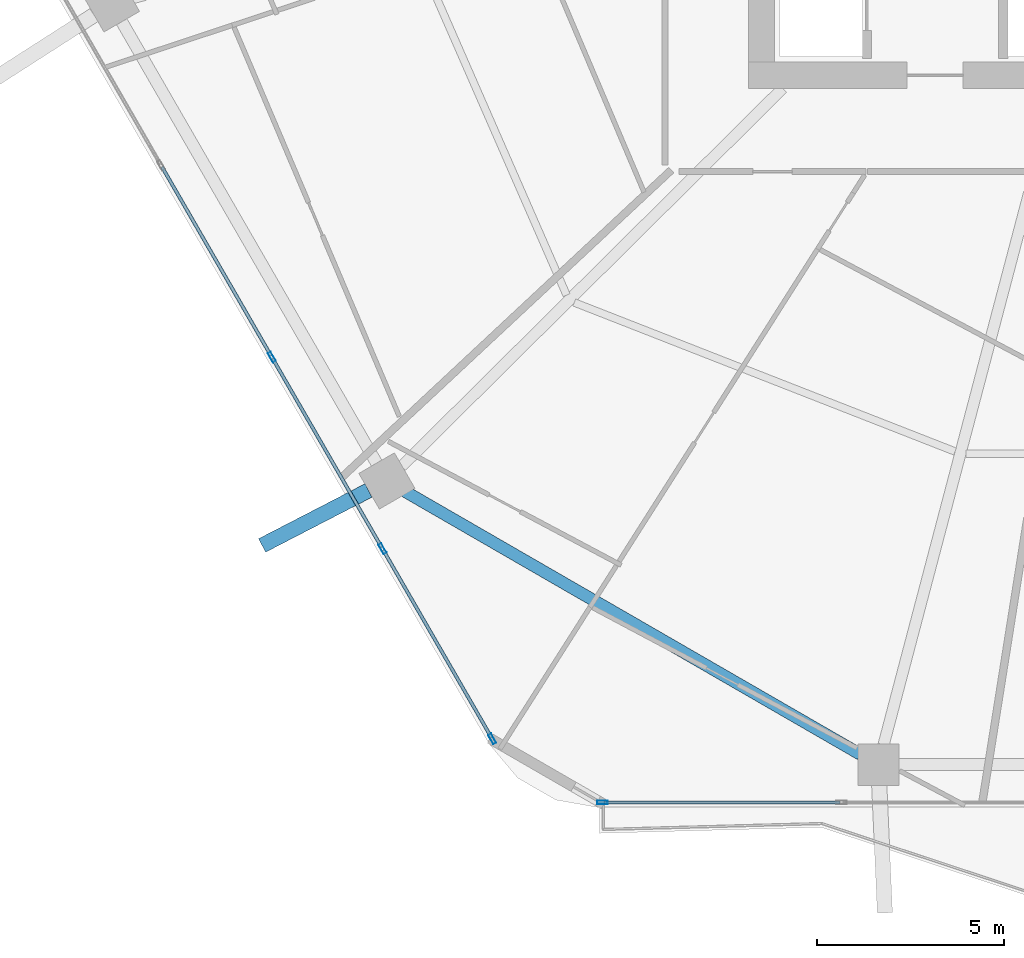
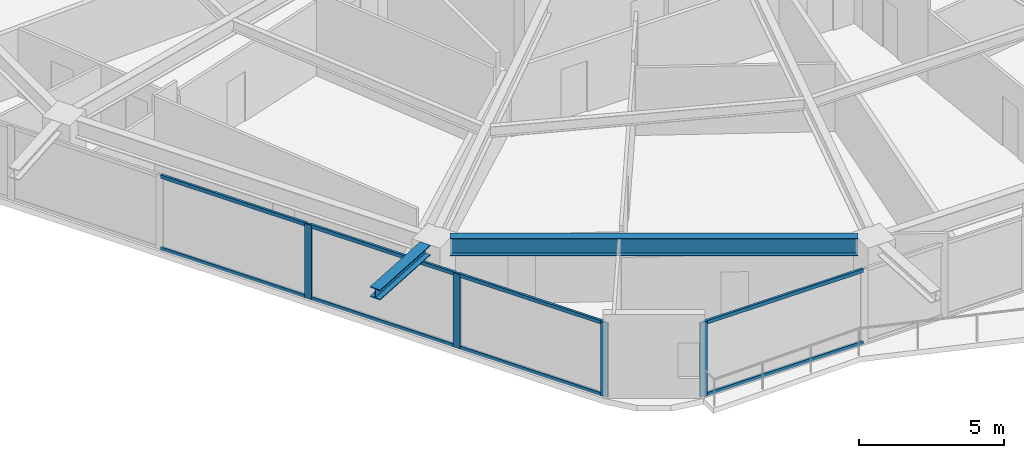
# One storey, part 2 of 33: 12 members, 2 beams, 2 elements without a shape of their own.
"""IFC4 building model written with IfcOpenShell, lengths in metres."""

import ifcopenshell
import ifcopenshell.guid

model = None  # the IFC model being written
_history = None  # IfcOwnerHistory: only IFC2X3 demands one
_inside = {}  # id of a spatial element -> (the spatial element, [elements in it])
_under = {}  # id of a project, library or spatial element -> (it, [spatial elements below it])
_declared = {}  # id of a project -> (the project, [libraries it declares])
_typed = {}  # id of a type object -> (the type object, [elements of that type])
_made_of = {}  # id of a material, layer set ... -> (it, [elements and type objects made of it])


def new_model(schema):
    """Start an empty IFC model of exactly this schema.

    Asked for "IFC4X3", IfcOpenShell would pick the latest addendum, in which some entities
    have other attributes; the version numbers below select the first issue.
    IFC2X3 requires an IfcOwnerHistory on every rooted entity: one is made here for all.
    """
    global model, _history
    if schema == "IFC4X3":
        model = ifcopenshell.file(schema_version=(4, 3, 0, 0))
    else:
        model = ifcopenshell.file(schema=schema)
    _inside.clear()
    _under.clear()
    _declared.clear()
    _typed.clear()
    _made_of.clear()
    _history = None
    if model.schema == "IFC2X3":
        org = make("IfcOrganization", Name="unknown")
        user = make(
            "IfcPersonAndOrganization",
            ThePerson=make("IfcPerson", FamilyName="unknown"),
            TheOrganization=org,
        )
        app = make(
            "IfcApplication",
            ApplicationDeveloper=org,
            Version="unknown",
            ApplicationFullName="unknown",
            ApplicationIdentifier="unknown",
        )
        _history = make(
            "IfcOwnerHistory",
            OwningUser=user,
            OwningApplication=app,
            ChangeAction="ADDED",
            CreationDate=0,
        )
    return model


def make(cls, **values):
    """One entity of the class cls with the attributes given. An attribute that is None is left unset."""
    return model.create_entity(
        cls, **{name: value for name, value in values.items() if value is not None}
    )


def rooted(cls, **values):
    """An entity with a GlobalId (a new one), such as an element, a storey or a relation."""
    return make(cls, GlobalId=ifcopenshell.guid.new(), OwnerHistory=_history, **values)


def si_unit(unit_type, name, prefix=None):
    """IfcSIUnit, for example si_unit("LENGTHUNIT", "METRE", prefix="MILLI")."""
    return make("IfcSIUnit", UnitType=unit_type, Prefix=prefix, Name=name)


def assignment(units):
    """IfcUnitAssignment: the units of a project."""
    return None if units is None else make("IfcUnitAssignment", Units=units)


def point(xyz):
    """IfcCartesianPoint."""
    return None if xyz is None else make("IfcCartesianPoint", Coordinates=xyz)


def direction(xyz):
    """IfcDirection."""
    return None if xyz is None else make("IfcDirection", DirectionRatios=xyz)


def frame(location, z_axis=None, x_axis=None):
    """IfcAxis2Placement3D, a coordinate frame: its origin and axes. An axis left out is left unset."""
    return make(
        "IfcAxis2Placement3D",
        Location=point(location),
        Axis=direction(z_axis),
        RefDirection=direction(x_axis),
    )


def frame_2d(location, x_axis=None):
    """IfcAxis2Placement2D, a coordinate frame in the plane: its origin and x axis."""
    return make(
        "IfcAxis2Placement2D", Location=point(location), RefDirection=direction(x_axis)
    )


def origin():
    """The frame at (0, 0, 0) with its axes left unset."""
    return frame((0.0, 0.0, 0.0))


def origin_2d():
    """The frame at (0, 0) in the plane with its x axis left unset."""
    return frame_2d((0.0, 0.0))


def place(relative_to, where):
    """IfcLocalPlacement: puts the frame where relative to a parent placement (None: the world)."""
    return make(
        "IfcLocalPlacement", PlacementRelTo=relative_to, RelativePlacement=where
    )


def context(
    kind, dimensions, precision=None, world=None, true_north=None, identifier=None
):
    """IfcGeometricRepresentationContext, for example the 3D "Model" context."""
    return make(
        "IfcGeometricRepresentationContext",
        ContextIdentifier=identifier,
        ContextType=kind,
        CoordinateSpaceDimension=dimensions,
        Precision=precision,
        WorldCoordinateSystem=world,
        TrueNorth=true_north,
    )


def subcontext(parent, identifier, kind, view, scale=None):
    """IfcGeometricRepresentationSubContext, for example "Body" below "Model"."""
    return make(
        "IfcGeometricRepresentationSubContext",
        ContextIdentifier=identifier,
        ContextType=kind,
        ParentContext=parent,
        TargetScale=scale,
        TargetView=view,
    )


def project(units=None, contexts=None):
    """IfcProject with its units and contexts."""
    return rooted(
        "IfcProject",
        Name="project",
        RepresentationContexts=contexts,
        UnitsInContext=assignment(units),
    )


def spatial(cls, under=None, at=None, **own):
    """A site, building, storey or space (cls), placed at a placement, below another one or the project."""
    s = rooted(cls, ObjectPlacement=at, **own)
    if under is not None:
        _under.setdefault(under.id(), (under, []))[1].append(s)
    return s


def profile(cls, at=None, kind="AREA", **sizes):
    """A parametric profile (cls). Its sizes go by their IFC names, for example OverallWidth=200.0."""
    return make(cls, ProfileType=kind, Position=at, **sizes)


def hollow_rectangle(**sizes):
    """IfcRectangleHollowProfileDef."""
    return profile("IfcRectangleHollowProfileDef", **sizes)


def i_section(**sizes):
    """IfcIShapeProfileDef."""
    return profile("IfcIShapeProfileDef", **sizes)


def extrude(swept, where, along, depth):
    """IfcExtrudedAreaSolid: the profile swept, set in the frame where, extruded along a direction by depth."""
    return make(
        "IfcExtrudedAreaSolid",
        SweptArea=swept,
        Position=where,
        ExtrudedDirection=direction(along),
        Depth=depth,
    )


def shape(context_of_items, identifier, shape_type, items):
    """IfcShapeRepresentation: the items that make up one representation, for example the "Body"."""
    return make(
        "IfcShapeRepresentation",
        ContextOfItems=context_of_items,
        RepresentationIdentifier=identifier,
        RepresentationType=shape_type,
        Items=items,
    )


def material(Name=None, Category=None):
    """IfcMaterial."""
    return make("IfcMaterial", Name=Name, Category=Category)


def material_profile(
    of_material, cross_section, Name=None, Category=None, Priority=None
):
    """IfcMaterialProfile: a cross section and its material."""
    return make(
        "IfcMaterialProfile",
        Name=Name,
        Material=of_material,
        Profile=cross_section,
        Priority=Priority,
        Category=Category,
    )


def profile_set(profiles, Name=None, composite=None):
    """IfcMaterialProfileSet."""
    return make(
        "IfcMaterialProfileSet",
        Name=Name,
        MaterialProfiles=profiles,
        CompositeProfile=composite,
    )


def made_of(thing, what):
    """Note that an element or type object is made of a material, layer set ...; save() writes the relation."""
    if what is not None:
        _made_of.setdefault(what.id(), (what, []))[1].append(thing)
    return thing


def type_object(cls, material=None, **own):
    """A type object (cls), such as IfcWallType, which elements share."""
    return made_of(rooted(cls, **own), material)


def element(
    cls,
    number,
    at=None,
    inside=None,
    cuts=None,
    type_object=None,
    material=None,
    context=None,
    identifier="Body",
    shape_type=None,
    held_by="IfcProductDefinitionShape",
    body=None,
    shapes=None,
    **own,
):
    """One element of the class cls, such as IfcWall. Its Tag is "e" and its number.

    at: its placement. inside: the storey or other place that contains it. cuts: it is an
    opening in that element (IfcRelVoidsElement). A single representation is given by context,
    identifier, shape_type and body (its items); several are given by shapes. held_by: the class
    of the entity that holds the representations. save() writes the other relations.
    """
    e = rooted(cls, Tag="e%d" % number, ObjectPlacement=at, **own)
    if body is not None:
        shapes = [shape(context, identifier, shape_type, body)]
    if shapes is not None:
        e.Representation = make(held_by, Representations=shapes)
    if inside is not None:
        _inside.setdefault(inside.id(), (inside, []))[1].append(e)
    if cuts is not None:
        rooted(
            "IfcRelVoidsElement", RelatingBuildingElement=cuts, RelatedOpeningElement=e
        )
    if type_object is not None:
        _typed.setdefault(type_object.id(), (type_object, []))[1].append(e)
    return made_of(e, material)


def aggregate(whole, parts):
    """IfcRelAggregates: a whole, such as a stair, and the parts it consists of."""
    return rooted("IfcRelAggregates", RelatingObject=whole, RelatedObjects=parts)


def save(model, path):
    """Write the relations noted so far, then the file.

    IfcRelAggregates (storeys below a building ...), IfcRelContainedInSpatialStructure (elements
    in a storey), IfcRelDefinesByType, IfcRelAssociatesMaterial and IfcRelDeclares: one each for
    every whole, place, type object, material and project.
    """
    for whole, parts in _under.values():
        aggregate(whole, parts)
    for where, things in _inside.values():
        rooted(
            "IfcRelContainedInSpatialStructure",
            RelatedElements=things,
            RelatingStructure=where,
        )
    for kind, things in _typed.values():
        rooted("IfcRelDefinesByType", RelatedObjects=things, RelatingType=kind)
    for what, things in _made_of.values():
        rooted("IfcRelAssociatesMaterial", RelatedObjects=things, RelatingMaterial=what)
    for by, libraries in _declared.values():
        rooted("IfcRelDeclares", RelatingContext=by, RelatedDefinitions=libraries)
    model.write(path)


model = new_model("IFC4")

# Units and contexts
model_context = context("Model", 3, precision=1e-05, world=origin(), true_north=direction((0.0, 1.0)))
body_context = subcontext(model_context, "Body", "Model", "MODEL_VIEW")
ifc_project = project(units=[si_unit("LENGTHUNIT", "METRE"), si_unit("AREAUNIT", "SQUARE_METRE"), si_unit("VOLUMEUNIT", "CUBIC_METRE"), si_unit("PLANEANGLEUNIT", "RADIAN"), si_unit("MASSUNIT", "GRAM", prefix="KILO")], contexts=[model_context])

# Site, building, storey
site_placement = place(None, origin())
site = spatial("IfcSite", under=ifc_project, at=site_placement, CompositionType="ELEMENT")
building_placement = place(site_placement, origin())
building = spatial("IfcBuilding", under=site, at=building_placement, Name="Zuhravey Tower", CompositionType="ELEMENT")
storey_placement = place(building_placement, frame((0.0, 0.0, 126.60009765625)))
storey = spatial("IfcBuildingStorey", under=building, at=storey_placement, Name="L31", CompositionType="ELEMENT", Elevation=126.60009765625)

# Curtain wall, member
ifc_material_1 = material(Name="Thermally broken anodised aluminium", Category="aluminium")
curtain_wall_type = type_object("IfcCurtainWallType", Name="Zone 1-2 Residential Curtain Wall CW3", PredefinedType="NOTDEFINED", material=ifc_material_1)
curtain_wall_1_placement = place(storey_placement, origin())
curtain_wall_1 = element("IfcCurtainWall", 1, at=curtain_wall_1_placement, inside=storey, type_object=curtain_wall_type, Name="L31 CW3 CW-L31-F5-2", PredefinedType="NOTDEFINED")
ifc_material_2 = material(Name="Anodised aluminium", Category="aluminium")
ifc_material_profile_1 = material_profile(ifc_material_2, hollow_rectangle(XDim=0.090087890625, YDim=0.284912109375, WallThickness=0.0048828125, at=origin_2d()), Name="ALU-RHS-90x285x5")
ifc_profile_set_1 = profile_set([ifc_material_profile_1], Name="Anodised aluminium")
member_type_1 = type_object("IfcMemberType", Name="Curtain-Wall Mullion 90x180", PredefinedType="MULLION", material=ifc_profile_set_1)
member_1_placement = place(storey_placement, frame((21.24560546875, 3.04150390625, 0.0), z_axis=(0.0, 0.0, 1.0), x_axis=(0.0, -1.0, 0.0)))
member_1 = element("IfcMember", 2, at=member_1_placement, type_object=member_type_1, Name="CW3 mullion 3", PredefinedType="MULLION", context=body_context, shape_type="SweptSolid", body=[
    extrude(hollow_rectangle(XDim=0.090087890625, YDim=0.284912109375, WallThickness=0.0048828125, at=origin_2d()), origin(), (0.0, 0.0, 1.0), 3.121826171875),
])

# Curtain wall, members
curtain_wall_2_placement = place(storey_placement, origin())
curtain_wall_2 = element("IfcCurtainWall", 3, at=curtain_wall_2_placement, inside=storey, type_object=curtain_wall_type, Name="L31 CW3 CW-L31-F4-1", PredefinedType="NOTDEFINED")
member_2_placement = place(storey_placement, frame((18.298583984375, 4.742919921875, 0.0), z_axis=(0.0, 0.0, 1.0), x_axis=(-0.86602552265, -0.499999794119, 0.0)))
member_2 = element("IfcMember", 4, at=member_2_placement, type_object=member_type_1, Name="CW3 mullion 1", PredefinedType="MULLION", context=body_context, shape_type="SweptSolid", body=[
    extrude(hollow_rectangle(XDim=0.090087890625, YDim=0.284912109375, WallThickness=0.0048828125, at=origin_2d()), origin(), (0.0, 0.0, 1.0), 3.121826171875),
])
member_3_placement = place(storey_placement, frame((15.361083984375, 9.830810546875, 0.0), z_axis=(0.0, 0.0, 1.0), x_axis=(-0.86602552265, -0.499999794119, 0.0)))
member_3 = element("IfcMember", 5, at=member_3_placement, type_object=member_type_1, Name="CW3 mullion 2", PredefinedType="MULLION", context=body_context, shape_type="SweptSolid", body=[
    extrude(hollow_rectangle(XDim=0.090087890625, YDim=0.284912109375, WallThickness=0.0048828125, at=origin_2d()), origin(), (0.0, 0.0, 1.0), 3.121826171875),
])
member_4_placement = place(storey_placement, frame((12.401123046875, 14.95751953125, 0.0), z_axis=(0.0, 0.0, 1.0), x_axis=(-0.86602552265, -0.499999794119, 0.0)))
member_4 = element("IfcMember", 6, at=member_4_placement, type_object=member_type_1, Name="CW3 mullion 3", PredefinedType="MULLION", context=body_context, shape_type="SweptSolid", body=[
    extrude(hollow_rectangle(XDim=0.090087890625, YDim=0.284912109375, WallThickness=0.0048828125, at=origin_2d()), origin(), (0.0, 0.0, 1.0), 3.121826171875),
])

# Member
ifc_material_profile_2 = material_profile(ifc_material_2, hollow_rectangle(XDim=0.090087890625, YDim=0.14990234375, WallThickness=0.0048828125, at=origin_2d()), Name="ALU-RHS-90x150x5")
ifc_profile_set_2 = profile_set([ifc_material_profile_2], Name="Anodised aluminium")
member_type_2 = type_object("IfcMemberType", Name="Curtain-Wall Transom 90x150", PredefinedType="USERDEFINED", material=ifc_profile_set_2)
member_5_placement = place(storey_placement, frame((27.60205078125, 3.04150390625, 0.044921875), z_axis=(-1.0, 0.0, 0.0), x_axis=(0.0, -1.0, 0.0)))
member_5 = element("IfcMember", 7, at=member_5_placement, type_object=member_type_2, Name="CW3 transom 2.1", ObjectType="TRANSOM", PredefinedType="USERDEFINED", context=body_context, shape_type="SweptSolid", body=[
    extrude(hollow_rectangle(XDim=0.090087890625, YDim=0.14990234375, WallThickness=0.0048828125, at=origin_2d()), origin(), (0.0, 0.0, 1.0), 6.3115234375),
])

member_6_placement = place(storey_placement, frame((27.60205078125, 3.04150390625, 3.076904296875), z_axis=(-1.0, 0.0, 0.0), x_axis=(0.0, -1.0, 0.0)))
member_6 = element("IfcMember", 8, at=member_6_placement, type_object=member_type_2, Name="CW3 transom 2.2", ObjectType="TRANSOM", PredefinedType="USERDEFINED", context=body_context, shape_type="SweptSolid", body=[
    extrude(hollow_rectangle(XDim=0.090087890625, YDim=0.14990234375, WallThickness=0.0048828125, at=origin_2d()), origin(), (0.0, 0.0, 1.0), 6.3115234375),
])

aggregate(curtain_wall_1, [member_1, member_5, member_6])

member_7_placement = place(storey_placement, frame((18.27587890625, 4.781982421875, 0.044921875), z_axis=(-0.499992798144, 0.866029561738, 0.0), x_axis=(-0.866029561738, -0.499992798144, 0.0)))
member_7 = element("IfcMember", 9, at=member_7_placement, type_object=member_type_2, Name="CW3 transom 1.1", ObjectType="TRANSOM", PredefinedType="USERDEFINED", context=body_context, shape_type="SweptSolid", body=[
    extrude(hollow_rectangle(XDim=0.090087890625, YDim=0.14990234375, WallThickness=0.0048828125, at=origin_2d()), origin(), (0.0, 0.0, 1.0), 5.78466796875),
])

member_8_placement = place(storey_placement, frame((18.27587890625, 4.781982421875, 3.076904296875), z_axis=(-0.499992798144, 0.866029561738, 0.0), x_axis=(-0.866029561738, -0.499992798144, 0.0)))
member_8 = element("IfcMember", 10, at=member_8_placement, type_object=member_type_2, Name="CW3 transom 1.2", ObjectType="TRANSOM", PredefinedType="USERDEFINED", context=body_context, shape_type="SweptSolid", body=[
    extrude(hollow_rectangle(XDim=0.090087890625, YDim=0.14990234375, WallThickness=0.0048828125, at=origin_2d()), origin(), (0.0, 0.0, 1.0), 5.78466796875),
])

member_9_placement = place(storey_placement, frame((15.338623046875, 9.86962890625, 0.044921875), z_axis=(-0.500012451049, 0.866018215049, 0.0), x_axis=(-0.866018215049, -0.500012451049, 0.0)))
member_9 = element("IfcMember", 11, at=member_9_placement, type_object=member_type_2, Name="CW3 transom 2.1", ObjectType="TRANSOM", PredefinedType="USERDEFINED", context=body_context, shape_type="SweptSolid", body=[
    extrude(hollow_rectangle(XDim=0.090087890625, YDim=0.14990234375, WallThickness=0.0048828125, at=origin_2d()), origin(), (0.0, 0.0, 1.0), 5.829833984375),
])

member_10_placement = place(storey_placement, frame((15.338623046875, 9.86962890625, 3.076904296875), z_axis=(-0.500012451049, 0.866018215049, 0.0), x_axis=(-0.866018215049, -0.500012451049, 0.0)))
member_10 = element("IfcMember", 12, at=member_10_placement, type_object=member_type_2, Name="CW3 transom 2.2", ObjectType="TRANSOM", PredefinedType="USERDEFINED", context=body_context, shape_type="SweptSolid", body=[
    extrude(hollow_rectangle(XDim=0.090087890625, YDim=0.14990234375, WallThickness=0.0048828125, at=origin_2d()), origin(), (0.0, 0.0, 1.0), 5.829833984375),
])

member_11_placement = place(storey_placement, frame((12.378662109375, 14.996337890625, 0.044921875), z_axis=(-0.499981042766, 0.866036348472, 0.0), x_axis=(-0.866036348472, -0.499981042766, 0.0)))
member_11 = element("IfcMember", 13, at=member_11_placement, type_object=member_type_2, Name="CW3 transom 3.1", ObjectType="TRANSOM", PredefinedType="USERDEFINED", context=body_context, shape_type="SweptSolid", body=[
    extrude(hollow_rectangle(XDim=0.090087890625, YDim=0.14990234375, WallThickness=0.0048828125, at=origin_2d()), origin(), (0.0, 0.0, 1.0), 5.829833984375),
])

member_12_placement = place(storey_placement, frame((12.378662109375, 14.996337890625, 3.076904296875), z_axis=(-0.499981042766, 0.866036348472, 0.0), x_axis=(-0.866036348472, -0.499981042766, 0.0)))
member_12 = element("IfcMember", 14, at=member_12_placement, type_object=member_type_2, Name="CW3 transom 3.2", ObjectType="TRANSOM", PredefinedType="USERDEFINED", context=body_context, shape_type="SweptSolid", body=[
    extrude(hollow_rectangle(XDim=0.090087890625, YDim=0.14990234375, WallThickness=0.0048828125, at=origin_2d()), origin(), (0.0, 0.0, 1.0), 5.829833984375),
])

aggregate(curtain_wall_2, [member_2, member_3, member_4, member_7, member_8, member_9, member_10, member_11, member_12])

# Beams
ifc_material_3 = material(Name="Steel SM460", Category="steel")
ifc_material_profile_3 = material_profile(ifc_material_3, i_section(OverallWidth=0.406982421875, OverallDepth=0.427978515625, WebThickness=0.02001953125, FlangeThickness=0.034912109375, at=origin_2d()), Name="H-428x407x20x35")
ifc_profile_set_3 = profile_set([ifc_material_profile_3], Name="Steel SM460")
beam_type_1 = type_object("IfcBeamType", Name="Exoskeleton Node Tie Beam H428x407", PredefinedType="BEAM", material=ifc_profile_set_3)
beam_1_placement = place(storey_placement, frame((14.98828125, 11.388427734375, 3.3359375), z_axis=(-0.888437298009, -0.458998003816, 0.0), x_axis=(0.458998003816, -0.888437298009, 0.0)))
element("IfcBeam", 15, at=beam_1_placement, inside=storey, type_object=beam_type_1, Name="L31 Exoskeleton Node Tie NT1-08", PredefinedType="BEAM", context=body_context, shape_type="SweptSolid", body=[
    extrude(i_section(OverallWidth=0.406982421875, OverallDepth=0.427978515625, WebThickness=0.02001953125, FlangeThickness=0.034912109375, at=origin_2d()), origin(), (0.0, 0.0, 1.0), 3.20458984375),
])
ifc_material_4 = material(Name="Steel SM355", Category="steel")
ifc_material_profile_4 = material_profile(ifc_material_4, i_section(OverallWidth=0.320068359375, OverallDepth=0.75, WebThickness=0.013916015625, FlangeThickness=0.02490234375, at=origin_2d()), Name="H-750x320x14x25")
ifc_profile_set_4 = profile_set([ifc_material_profile_4], Name="Steel SM355")
beam_type_2 = type_object("IfcBeamType", Name="Perimeter Ring Beam H750x320", PredefinedType="BEAM", material=ifc_profile_set_4)
beam_2_placement = place(storey_placement, frame((15.9599609375, 11.36669921875, 3.1748046875), z_axis=(0.866017786538, -0.500013193225, 0.0), x_axis=(0.500013193225, 0.866017786538, 0.0)))
element("IfcBeam", 16, at=beam_2_placement, inside=storey, type_object=beam_type_2, Name="L31 PB1 BM-L31-PB-08", PredefinedType="BEAM", context=body_context, shape_type="SweptSolid", body=[
    extrude(i_section(OverallWidth=0.320068359375, OverallDepth=0.75, WebThickness=0.013916015625, FlangeThickness=0.02490234375, at=origin_2d()), origin(), (0.0, 0.0, 1.0), 14.0771484375),
])

save(model, "model.ifc")
